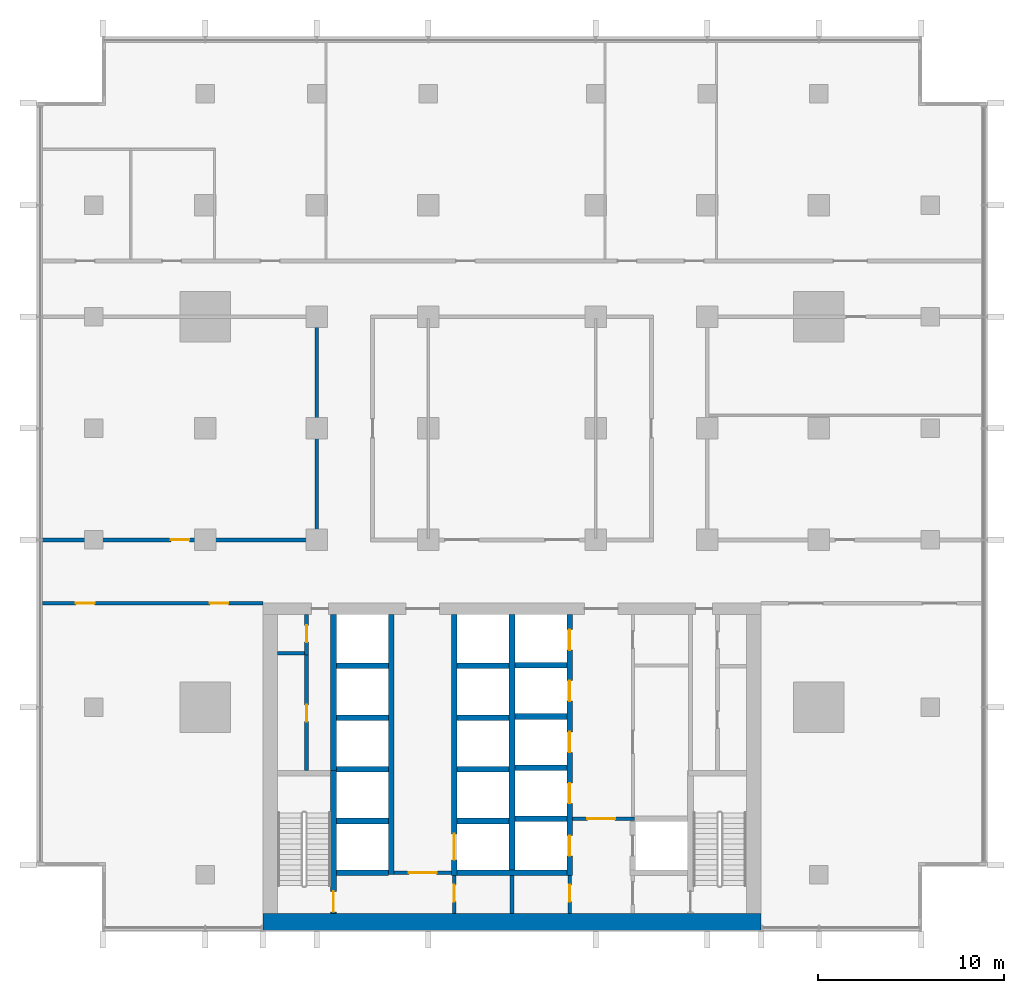
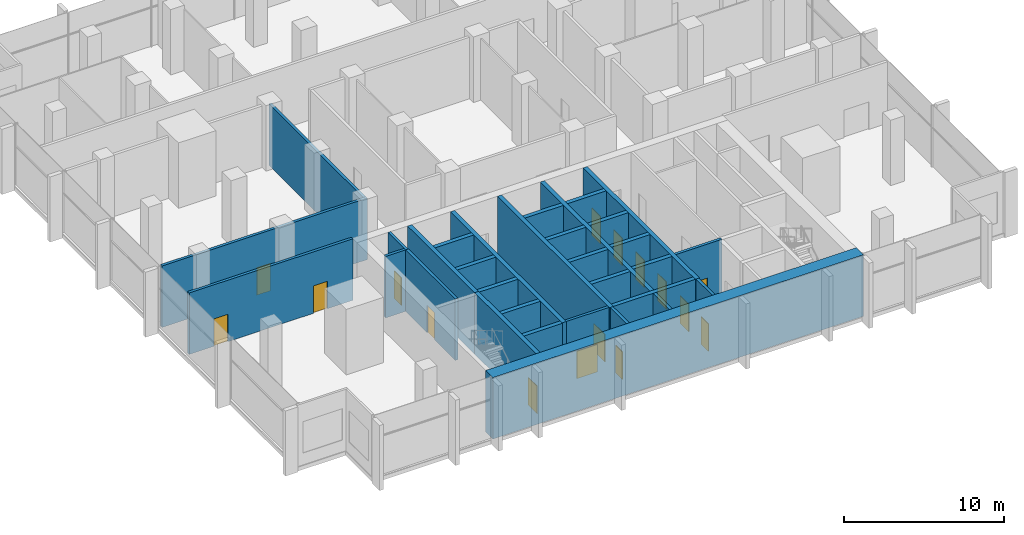
# One storey, part 7 of 14: 32 walls, 16 doors, 16 openings.
"""IFC4 building model written with IfcOpenShell, lengths in metres."""

from ifc_helpers import new_model, si_unit, direction, frame, frame_2d, origin, place, context, subcontext, project, spatial, rectangle, extrude, material, layer, layer_set, type_object, element, fill, save


model = new_model("IFC4")

# Units and contexts
model_context = context("Model", 3, precision=1e-05, world=origin(), true_north=direction((0.0, 1.0)))
body_context = subcontext(model_context, "Body", "Model", "MODEL_VIEW")
ifc_project = project(units=[si_unit("LENGTHUNIT", "METRE"), si_unit("AREAUNIT", "SQUARE_METRE"), si_unit("VOLUMEUNIT", "CUBIC_METRE"), si_unit("PLANEANGLEUNIT", "RADIAN"), si_unit("MASSUNIT", "GRAM", prefix="KILO")], contexts=[model_context])

# Site, building, storey
site_placement = place(None, origin())
site = spatial("IfcSite", under=ifc_project, at=site_placement, CompositionType="ELEMENT")
building_placement = place(site_placement, origin())
building = spatial("IfcBuilding", under=site, at=building_placement, Name="Finial Court Residences", CompositionType="ELEMENT")
storey_placement = place(building_placement, frame((0.0, 0.0, 133.89990234375)))
storey = spatial("IfcBuildingStorey", under=building, at=storey_placement, Name="L33", CompositionType="ELEMENT", Elevation=133.89990234375)

# Wall
ifc_material_1 = material(Name="Concrete C70/85", Category="concrete")
ifc_layer_1 = layer(ifc_material_1, 0.89990234375)
ifc_layer_set_1 = layer_set([ifc_layer_1], Name="Core south facade wall 900 Concrete C70/85")
wall_type_1 = type_object("IfcWallType", Name="Core south facade wall 900 Concrete C70/85", PredefinedType="SHEAR", material=ifc_layer_set_1)
wall_1_placement = place(storey_placement, frame((-13.39990234375, -25.050048828125, 0.0), z_axis=(0.0, 0.0, 1.0), x_axis=(1.0, 0.0, 0.0)))
element("IfcWall", 1, at=wall_1_placement, inside=storey, type_object=wall_type_1, Name="Core outer wall L33-01", PredefinedType="SHEAR", context=body_context, shape_type="SweptSolid", body=[
    extrude(rectangle(XDim=26.7998046875, YDim=0.89990234375, at=frame_2d((13.39990234375, 0.0))), origin(), (0.0, 0.0, 1.0), 4.7001953125),
])

# Wall, openings, doors
ifc_material_2 = material(Name="Gypsum board")
ifc_layer_2 = layer(ifc_material_2, 0.02490234375)
ifc_material_3 = material(Name="Acoustic mineral wool in double frame")
ifc_layer_3 = layer(ifc_material_3, 0.14990234375)
ifc_layer_4 = layer(ifc_material_2, 0.02490234375)
ifc_layer_set_2 = layer_set([ifc_layer_2, ifc_layer_3, ifc_layer_4], Name="Corridor wall 200, 1 hour")
wall_type_2 = type_object("IfcWallType", Name="Corridor wall 200, 1 hour", PredefinedType="PARTITIONING", material=ifc_layer_set_2)
wall_2_placement = place(storey_placement, frame((-25.237548828125, -7.89990234375, 0.0), z_axis=(0.0, 0.0, 1.0), x_axis=(1.0, 0.0, 0.0)))
wall_2 = element("IfcWall", 2, at=wall_2_placement, inside=storey, type_object=wall_type_2, Name="Partition L33-000", PredefinedType="PARTITIONING", context=body_context, shape_type="SweptSolid", body=[
    extrude(rectangle(XDim=11.837646484375, YDim=0.199951171875, at=frame_2d((5.9189453125, 0.0))), origin(), (0.0, 0.0, 1.0), 4.7001953125),
])
opening_1_placement = place(wall_2_placement, frame((1.7880859375, 0.0, 0.0)))
opening_1 = element("IfcOpeningElement", 3, at=opening_1_placement, cuts=wall_2, Name="Opening L33-D001", PredefinedType="OPENING", context=body_context, shape_type="SweptSolid", body=[
    extrude(rectangle(XDim=1.0, YDim=2.10009765625, at=frame_2d((0.5, 1.050048828125))), frame((0.0, 0.10986328125, 0.0), z_axis=(0.0, -1.0, 0.0), x_axis=(1.0, 0.0, 0.0)), (0.0, 0.0, 1.0), 0.219970703125),
])
opening_2_placement = place(wall_2_placement, frame((8.988037109375, 0.0, 0.0)))
opening_2 = element("IfcOpeningElement", 4, at=opening_2_placement, cuts=wall_2, Name="Opening L33-D002", PredefinedType="OPENING", context=body_context, shape_type="SweptSolid", body=[
    extrude(rectangle(XDim=1.0, YDim=2.10009765625, at=frame_2d((0.5, 1.050048828125))), frame((0.0, 0.10986328125, 0.0), z_axis=(0.0, -1.0, 0.0), x_axis=(1.0, 0.0, 0.0)), (0.0, 0.0, 1.0), 0.219970703125),
])
ifc_material_4 = material(Name="Timber door leaf in hollow metal frame", Category="wood")
door_type_1 = type_object("IfcDoorType", Name="Fire door set 1000 x 2100, 30 minutes", OperationType="SINGLE_SWING_LEFT", PredefinedType="DOOR", material=ifc_material_4)
door_1_placement = place(opening_1_placement, origin())
door_1 = element("IfcDoor", 5, at=door_1_placement, inside=storey, type_object=door_type_1, Name="Door L33-D001", OperationType="SINGLE_SWING_LEFT", OverallHeight=2.10009765625, OverallWidth=1.0, PredefinedType="DOOR", context=body_context, shape_type="SweptSolid", body=[
    extrude(rectangle(XDim=1.0, YDim=2.10009765625, at=frame_2d((0.5, 1.050048828125))), frame((0.0, 0.02490234375, 0.0), z_axis=(0.0, -1.0, 0.0), x_axis=(1.0, 0.0, 0.0)), (0.0, 0.0, 1.0), 0.050048828125),
])
fill(opening_1, door_1)
door_2_placement = place(opening_2_placement, origin())
door_2 = element("IfcDoor", 6, at=door_2_placement, inside=storey, type_object=door_type_1, Name="Door L33-D002", OperationType="SINGLE_SWING_RIGHT", OverallHeight=2.10009765625, OverallWidth=1.0, PredefinedType="DOOR", context=body_context, shape_type="SweptSolid", body=[
    extrude(rectangle(XDim=1.0, YDim=2.10009765625, at=frame_2d((0.5, 1.050048828125))), frame((0.0, 0.02490234375, 0.0), z_axis=(0.0, -1.0, 0.0), x_axis=(1.0, 0.0, 0.0)), (0.0, 0.0, 1.0), 0.050048828125),
])
fill(opening_2, door_2)

# Wall, opening, door
wall_3_placement = place(storey_placement, frame((-25.237548828125, -4.5, 0.0), z_axis=(0.0, 0.0, 1.0), x_axis=(1.0, 0.0, 0.0)))
wall_3 = element("IfcWall", 7, at=wall_3_placement, inside=storey, type_object=wall_type_2, Name="Partition L33-002", PredefinedType="PARTITIONING", context=body_context, shape_type="SweptSolid", body=[
    extrude(rectangle(XDim=14.837646484375, YDim=0.199951171875, at=frame_2d((7.4189453125, 0.0))), origin(), (0.0, 0.0, 1.0), 4.7001953125),
])
opening_3_placement = place(wall_3_placement, frame((6.886962890625, 0.0, 0.0)))
opening_3 = element("IfcOpeningElement", 8, at=opening_3_placement, cuts=wall_3, Name="Opening L33-D005", PredefinedType="OPENING", context=body_context, shape_type="SweptSolid", body=[
    extrude(rectangle(XDim=1.0, YDim=2.10009765625, at=frame_2d((0.5, 1.050048828125))), frame((0.0, 0.10986328125, 0.0), z_axis=(0.0, -1.0, 0.0), x_axis=(1.0, 0.0, 0.0)), (0.0, 0.0, 1.0), 0.219970703125),
])
door_3_placement = place(opening_3_placement, origin())
door_3 = element("IfcDoor", 9, at=door_3_placement, inside=storey, type_object=door_type_1, Name="Door L33-D005", OperationType="SINGLE_SWING_RIGHT", OverallHeight=2.10009765625, OverallWidth=1.0, PredefinedType="DOOR", context=body_context, shape_type="SweptSolid", body=[
    extrude(rectangle(XDim=1.0, YDim=2.10009765625, at=frame_2d((0.5, 1.050048828125))), frame((0.0, 0.02490234375, 0.0), z_axis=(0.0, -1.0, 0.0), x_axis=(1.0, 0.0, 0.0)), (0.0, 0.0, 1.0), 0.050048828125),
])
fill(opening_3, door_3)

# Wall
wall_4_placement = place(storey_placement, frame((-10.5, -4.39990234375, 0.0), z_axis=(0.0, 0.0, 1.0), x_axis=(0.0, 1.0, 0.0)))
element("IfcWall", 10, at=wall_4_placement, inside=storey, type_object=wall_type_2, Name="Partition L33-013", PredefinedType="PARTITIONING", context=body_context, shape_type="SweptSolid", body=[
    extrude(rectangle(XDim=11.7998046875, YDim=0.199951171875, at=frame_2d((5.89990234375, 0.0))), origin(), (0.0, 0.0, 1.0), 4.7001953125),
])

# Wall, opening, door
ifc_material_5 = material(Name="Fire-rated gypsum board partition")
ifc_layer_5 = layer(ifc_material_5, 0.199951171875)
ifc_layer_set_3 = layer_set([ifc_layer_5], Name="Firefighting lobby wall 200 EI 120")
wall_type_3 = type_object("IfcWallType", Name="Firefighting lobby wall 200 EI 120", PredefinedType="PARTITIONING", material=ifc_layer_set_3)
wall_5_placement = place(storey_placement, frame((6.574951171875, -19.5, 0.0), z_axis=(0.0, 0.0, 1.0), x_axis=(-1.0, 0.0, 0.0)))
wall_5 = element("IfcWall", 11, at=wall_5_placement, inside=storey, type_object=wall_type_3, Name="Core partition L33-08", PredefinedType="PARTITIONING", context=body_context, shape_type="SweptSolid", body=[
    extrude(rectangle(XDim=3.324951171875, YDim=0.199951171875, at=frame_2d((1.66259765625, 0.0))), origin(), (0.0, 0.0, 1.0), 4.7001953125),
])
opening_4_placement = place(wall_5_placement, frame((1.02490234375, 0.0, 0.0)))
opening_4 = element("IfcOpeningElement", 12, at=opening_4_placement, cuts=wall_5, Name="Opening L33-C02", PredefinedType="OPENING", context=body_context, shape_type="SweptSolid", body=[
    extrude(rectangle(XDim=1.5, YDim=2.10009765625, at=frame_2d((0.75, 1.050048828125))), frame((0.0, 0.10986328125, 0.0), z_axis=(0.0, -1.0, 0.0), x_axis=(1.0, 0.0, 0.0)), (0.0, 0.0, 1.0), 0.219970703125),
])
ifc_material_6 = material(Name="Steel fire door", Category="steel")
door_type_2 = type_object("IfcDoorType", Name="Firefighting lobby door 1500 x 2100 EI 90", OperationType="DOUBLE_DOOR_SINGLE_SWING", PredefinedType="DOOR", material=ifc_material_6)
door_4_placement = place(opening_4_placement, origin())
door_4 = element("IfcDoor", 13, at=door_4_placement, inside=storey, type_object=door_type_2, Name="Firefighting lobby door L33-C02", OperationType="DOUBLE_DOOR_SINGLE_SWING", OverallHeight=2.10009765625, OverallWidth=1.5, PredefinedType="DOOR", context=body_context, shape_type="SweptSolid", body=[
    extrude(rectangle(XDim=1.5, YDim=2.10009765625, at=frame_2d((0.75, 1.050048828125))), frame((0.0, 0.02490234375, 0.0), z_axis=(0.0, -1.0, 0.0), x_axis=(1.0, 0.0, 0.0)), (0.0, 0.0, 1.0), 0.050048828125),
])
fill(opening_4, door_4)

wall_6_placement = place(storey_placement, frame((3.10009765625, -24.60009765625, 0.0), z_axis=(0.0, 0.0, 1.0), x_axis=(0.0, 1.0, 0.0)))
wall_6 = element("IfcWall", 14, at=wall_6_placement, inside=storey, type_object=wall_type_3, Name="Core partition L33-33", PredefinedType="PARTITIONING", context=body_context, shape_type="SweptSolid", body=[
    extrude(rectangle(XDim=2.050048828125, YDim=0.199951171875, at=frame_2d((1.02490234375, 0.0))), origin(), (0.0, 0.0, 1.0), 4.7001953125),
])
opening_5_placement = place(wall_6_placement, frame((0.64990234375, 0.0, 0.0)))
opening_5 = element("IfcOpeningElement", 15, at=opening_5_placement, cuts=wall_6, Name="Opening L33-C06", PredefinedType="OPENING", context=body_context, shape_type="SweptSolid", body=[
    extrude(rectangle(XDim=0.89990234375, YDim=2.10009765625, at=frame_2d((0.449951171875, 1.050048828125))), frame((0.0, 0.10986328125, 0.0), z_axis=(0.0, -1.0, 0.0), x_axis=(1.0, 0.0, 0.0)), (0.0, 0.0, 1.0), 0.219970703125),
])
door_type_3 = type_object("IfcDoorType", Name="Riser room door 900 x 2100 EI 90", OperationType="NOTDEFINED", PredefinedType="DOOR", material=ifc_material_6)
door_5_placement = place(opening_5_placement, origin())
door_5 = element("IfcDoor", 16, at=door_5_placement, inside=storey, type_object=door_type_3, Name="Riser room door L33-C06", OperationType="SINGLE_SWING_LEFT", OverallHeight=2.10009765625, OverallWidth=0.89990234375, PredefinedType="DOOR", context=body_context, shape_type="SweptSolid", body=[
    extrude(rectangle(XDim=0.89990234375, YDim=2.10009765625, at=frame_2d((0.449951171875, 1.050048828125))), frame((0.0, 0.02490234375, 0.0), z_axis=(0.0, -1.0, 0.0), x_axis=(1.0, 0.0, 0.0)), (0.0, 0.0, 1.0), 0.050048828125),
])
fill(opening_5, door_5)

# Walls
ifc_layer_6 = layer(ifc_material_1, 0.300048828125)
ifc_layer_set_4 = layer_set([ifc_layer_6], Name="Lift shaft and stair wall 300 Concrete C70/85")
wall_type_4 = type_object("IfcWallType", Name="Lift shaft and stair wall 300 Concrete C70/85", PredefinedType="SHEAR", material=ifc_layer_set_4)
wall_7_placement = place(storey_placement, frame((-9.449951171875, -22.39990234375, 0.0), z_axis=(0.0, 0.0, 1.0), x_axis=(1.0, 0.0, 0.0)))
element("IfcWall", 17, at=wall_7_placement, inside=storey, type_object=wall_type_4, Name="Core wall L33-01", PredefinedType="SHEAR", context=body_context, shape_type="SweptSolid", body=[
    extrude(rectangle(XDim=2.800048828125, YDim=0.300048828125, at=frame_2d((1.39990234375, 0.0))), origin(), (0.0, 0.0, 1.0), 4.7001953125),
])
wall_8_placement = place(storey_placement, frame((-2.949951171875, -22.39990234375, 0.0), z_axis=(0.0, 0.0, 1.0), x_axis=(1.0, 0.0, 0.0)))
element("IfcWall", 18, at=wall_8_placement, inside=storey, type_object=wall_type_4, Name="Core wall L33-03", PredefinedType="SHEAR", context=body_context, shape_type="SweptSolid", body=[
    extrude(rectangle(XDim=5.89990234375, YDim=0.300048828125, at=frame_2d((2.949951171875, 0.0))), origin(), (0.0, 0.0, 1.0), 4.7001953125),
])
for number, where, z_axis, x_axis, name in (
    (19, (-9.449951171875, -19.6201171875, 0.0), (0.0, 0.0, 1.0), (1.0, 0.0, 0.0), "Core wall L33-05"),
    (20, (-2.949951171875, -19.6201171875, 0.0), (0.0, 0.0, 1.0), (1.0, 0.0, 0.0), "Core wall L33-06"),
    (21, (0.14990234375, -19.5, 0.0), (0.0, 0.0, 1.0), (1.0, 0.0, 0.0), "Core wall L33-07"),
    (22, (-9.449951171875, -16.840087890625, 0.0), (0.0, 0.0, 1.0), (1.0, 0.0, 0.0), "Core wall L33-12"),
    (23, (-2.949951171875, -16.840087890625, 0.0), (0.0, 0.0, 1.0), (1.0, 0.0, 0.0), "Core wall L33-13"),
    (24, (0.14990234375, -16.75, 0.0), (0.0, 0.0, 1.0), (1.0, 0.0, 0.0), "Core wall L33-14"),
    (25, (-9.449951171875, -14.06005859375, 0.0), (0.0, 0.0, 1.0), (1.0, 0.0, 0.0), "Core wall L33-15"),
    (26, (-2.949951171875, -14.06005859375, 0.0), (0.0, 0.0, 1.0), (1.0, 0.0, 0.0), "Core wall L33-16"),
    (27, (0.14990234375, -14.0, 0.0), (0.0, 0.0, 1.0), (1.0, 0.0, 0.0), "Core wall L33-17"),
    (28, (-9.449951171875, -11.280029296875, 0.0), (0.0, 0.0, 1.0), (1.0, 0.0, 0.0), "Core wall L33-19"),
    (29, (-2.949951171875, -11.280029296875, 0.0), (0.0, 0.0, 1.0), (1.0, 0.0, 0.0), "Core wall L33-20"),
    (30, (0.14990234375, -11.25, 0.0), (0.0, 0.0, 1.0), (1.0, 0.0, 0.0), "Core wall L33-21"),
):
    element("IfcWall", number, at=place(storey_placement, frame(where, z_axis=z_axis, x_axis=x_axis)), inside=storey, type_object=wall_type_4, Name=name, PredefinedType="SHEAR", context=body_context, shape_type="SweptSolid", body=[
        extrude(rectangle(XDim=2.800048828125, YDim=0.300048828125, at=frame_2d((1.39990234375, 0.0))), origin(), (0.0, 0.0, 1.0), 4.7001953125),
    ])

# Wall, opening, door
wall_9_placement = place(storey_placement, frame((-9.60009765625, -24.60009765625, 0.0), z_axis=(0.0, 0.0, 1.0), x_axis=(0.0, 1.0, 0.0)))
wall_9 = element("IfcWall", 31, at=wall_9_placement, inside=storey, type_object=wall_type_4, Name="Core wall L33-26", PredefinedType="SHEAR", context=body_context, shape_type="SweptSolid", body=[
    extrude(rectangle(XDim=7.7001953125, YDim=0.300048828125, at=frame_2d((3.85009765625, 0.0))), origin(), (0.0, 0.0, 1.0), 4.7001953125),
])
opening_6_placement = place(wall_9_placement, frame((0.10009765625, 0.0, 0.0)))
opening_6 = element("IfcOpeningElement", 32, at=opening_6_placement, cuts=wall_9, Name="Opening L33-C16", PredefinedType="OPENING", context=body_context, shape_type="SweptSolid", body=[
    extrude(rectangle(XDim=1.10009765625, YDim=2.10009765625, at=frame_2d((0.550048828125, 1.050048828125))), frame((0.0, 0.159912109375, 0.0), z_axis=(0.0, -1.0, 0.0), x_axis=(1.0, 0.0, 0.0)), (0.0, 0.0, 1.0), 0.320068359375),
])
door_type_4 = type_object("IfcDoorType", Name="Stair door 1100 x 2100 EI 90", OperationType="NOTDEFINED", PredefinedType="DOOR", material=ifc_material_6)
door_6_placement = place(opening_6_placement, origin())
door_6 = element("IfcDoor", 33, at=door_6_placement, inside=storey, type_object=door_type_4, Name="Stair door L33-C16", OperationType="SINGLE_SWING_LEFT", OverallHeight=2.10009765625, OverallWidth=1.10009765625, PredefinedType="DOOR", context=body_context, shape_type="SweptSolid", body=[
    extrude(rectangle(XDim=1.10009765625, YDim=2.10009765625, at=frame_2d((0.550048828125, 1.050048828125))), frame((0.0, 0.02490234375, 0.0), z_axis=(0.0, -1.0, 0.0), x_axis=(1.0, 0.0, 0.0)), (0.0, 0.0, 1.0), 0.050048828125),
])
fill(opening_6, door_6)

# Walls
wall_10_placement = place(storey_placement, frame((-9.60009765625, -17.199951171875, 0.0), z_axis=(0.0, 0.0, 1.0), x_axis=(0.0, 1.0, 0.0)))
element("IfcWall", 34, at=wall_10_placement, inside=storey, type_object=wall_type_4, Name="Core wall L33-27", PredefinedType="SHEAR", context=body_context, shape_type="SweptSolid", body=[
    extrude(rectangle(XDim=8.699951171875, YDim=0.300048828125, at=frame_2d((4.35009765625, 0.0))), origin(), (0.0, 0.0, 1.0), 4.7001953125),
])
wall_11_placement = place(storey_placement, frame((-6.5, -22.5, 0.0), z_axis=(0.0, 0.0, 1.0), x_axis=(0.0, 1.0, 0.0)))
element("IfcWall", 35, at=wall_11_placement, inside=storey, type_object=wall_type_4, Name="Core wall L33-28", PredefinedType="SHEAR", context=body_context, shape_type="SweptSolid", body=[
    extrude(rectangle(XDim=14.0, YDim=0.300048828125, at=frame_2d((7.0, 0.0))), origin(), (0.0, 0.0, 1.0), 4.7001953125),
])

# Wall, opening, door
wall_12_placement = place(storey_placement, frame((-3.10009765625, -22.550048828125, 0.0), z_axis=(0.0, 0.0, 1.0), x_axis=(0.0, 1.0, 0.0)))
wall_12 = element("IfcWall", 36, at=wall_12_placement, inside=storey, type_object=wall_type_4, Name="Core wall L33-30", PredefinedType="SHEAR", context=body_context, shape_type="SweptSolid", body=[
    extrude(rectangle(XDim=14.050048828125, YDim=0.300048828125, at=frame_2d((7.02490234375, 0.0))), origin(), (0.0, 0.0, 1.0), 4.7001953125),
])
opening_7_placement = place(wall_12_placement, frame((0.840087890625, 0.0, 0.0)))
opening_7 = element("IfcOpeningElement", 37, at=opening_7_placement, cuts=wall_12, Name="Opening L33-LD07", PredefinedType="OPENING", context=body_context, shape_type="SweptSolid", body=[
    extrude(rectangle(XDim=1.39990234375, YDim=2.10009765625, at=frame_2d((0.699951171875, 1.050048828125))), frame((0.0, 0.159912109375, 0.0), z_axis=(0.0, -1.0, 0.0), x_axis=(1.0, 0.0, 0.0)), (0.0, 0.0, 1.0), 0.320068359375),
])
ifc_material_7 = material(Name="Stainless steel lift door", Category="steel")
door_type_5 = type_object("IfcDoorType", Name="Lift landing door 1400 x 2100 EI 90", OperationType="DOUBLE_DOOR_SLIDING", PredefinedType="DOOR", material=ifc_material_7)
door_7_placement = place(opening_7_placement, origin())
door_7 = element("IfcDoor", 38, at=door_7_placement, inside=storey, type_object=door_type_5, Name="Lift landing door SV1 L33", OperationType="DOUBLE_DOOR_SLIDING", OverallHeight=2.10009765625, OverallWidth=1.39990234375, PredefinedType="DOOR", context=body_context, shape_type="SweptSolid", body=[
    extrude(rectangle(XDim=1.39990234375, YDim=2.10009765625, at=frame_2d((0.699951171875, 1.050048828125))), frame((0.0, 0.02490234375, 0.0), z_axis=(0.0, -1.0, 0.0), x_axis=(1.0, 0.0, 0.0)), (0.0, 0.0, 1.0), 0.050048828125),
])
fill(opening_7, door_7)

# Wall
wall_13_placement = place(storey_placement, frame((0.0, -22.25, 0.0), z_axis=(0.0, 0.0, 1.0), x_axis=(0.0, 1.0, 0.0)))
element("IfcWall", 39, at=wall_13_placement, inside=storey, type_object=wall_type_4, Name="Core wall L33-32", PredefinedType="SHEAR", context=body_context, shape_type="SweptSolid", body=[
    extrude(rectangle(XDim=13.75, YDim=0.300048828125, at=frame_2d((6.875, 0.0))), origin(), (0.0, 0.0, 1.0), 4.7001953125),
])

# Wall, openings, doors
wall_14_placement = place(storey_placement, frame((3.10009765625, -22.550048828125, 0.0), z_axis=(0.0, 0.0, 1.0), x_axis=(0.0, 1.0, 0.0)))
wall_14 = element("IfcWall", 40, at=wall_14_placement, inside=storey, type_object=wall_type_4, Name="Core wall L33-34", PredefinedType="SHEAR", context=body_context, shape_type="SweptSolid", body=[
    extrude(rectangle(XDim=14.050048828125, YDim=0.300048828125, at=frame_2d((7.02490234375, 0.0))), origin(), (0.0, 0.0, 1.0), 4.7001953125),
])
opening_8_placement = place(wall_14_placement, frame((1.050048828125, 0.0, 0.0)))
opening_8 = element("IfcOpeningElement", 41, at=opening_8_placement, cuts=wall_14, Name="Opening L33-LD01", PredefinedType="OPENING", context=body_context, shape_type="SweptSolid", body=[
    extrude(rectangle(XDim=1.10009765625, YDim=2.10009765625, at=frame_2d((0.550048828125, 1.050048828125))), frame((0.0, 0.159912109375, 0.0), z_axis=(0.0, -1.0, 0.0), x_axis=(1.0, 0.0, 0.0)), (0.0, 0.0, 1.0), 0.320068359375),
])
opening_9_placement = place(wall_14_placement, frame((3.875, 0.0, 0.0)))
opening_9 = element("IfcOpeningElement", 42, at=opening_9_placement, cuts=wall_14, Name="Opening L33-LD03", PredefinedType="OPENING", context=body_context, shape_type="SweptSolid", body=[
    extrude(rectangle(XDim=1.10009765625, YDim=2.10009765625, at=frame_2d((0.550048828125, 1.050048828125))), frame((0.0, 0.159912109375, 0.0), z_axis=(0.0, -1.0, 0.0), x_axis=(1.0, 0.0, 0.0)), (0.0, 0.0, 1.0), 0.320068359375),
])
opening_10_placement = place(wall_14_placement, frame((6.625, 0.0, 0.0)))
opening_10 = element("IfcOpeningElement", 43, at=opening_10_placement, cuts=wall_14, Name="Opening L33-LD04", PredefinedType="OPENING", context=body_context, shape_type="SweptSolid", body=[
    extrude(rectangle(XDim=1.10009765625, YDim=2.10009765625, at=frame_2d((0.550048828125, 1.050048828125))), frame((0.0, 0.159912109375, 0.0), z_axis=(0.0, -1.0, 0.0), x_axis=(1.0, 0.0, 0.0)), (0.0, 0.0, 1.0), 0.320068359375),
])
opening_11_placement = place(wall_14_placement, frame((9.375, 0.0, 0.0)))
opening_11 = element("IfcOpeningElement", 44, at=opening_11_placement, cuts=wall_14, Name="Opening L33-LD05", PredefinedType="OPENING", context=body_context, shape_type="SweptSolid", body=[
    extrude(rectangle(XDim=1.10009765625, YDim=2.10009765625, at=frame_2d((0.550048828125, 1.050048828125))), frame((0.0, 0.159912109375, 0.0), z_axis=(0.0, -1.0, 0.0), x_axis=(1.0, 0.0, 0.0)), (0.0, 0.0, 1.0), 0.320068359375),
])
opening_12_placement = place(wall_14_placement, frame((12.125, 0.0, 0.0)))
opening_12 = element("IfcOpeningElement", 45, at=opening_12_placement, cuts=wall_14, Name="Opening L33-LD06", PredefinedType="OPENING", context=body_context, shape_type="SweptSolid", body=[
    extrude(rectangle(XDim=1.10009765625, YDim=2.10009765625, at=frame_2d((0.550048828125, 1.050048828125))), frame((0.0, 0.159912109375, 0.0), z_axis=(0.0, -1.0, 0.0), x_axis=(1.0, 0.0, 0.0)), (0.0, 0.0, 1.0), 0.320068359375),
])
door_type_6 = type_object("IfcDoorType", Name="Lift landing door 1100 x 2100 EI 90", OperationType="DOUBLE_DOOR_SLIDING", PredefinedType="DOOR", material=ifc_material_7)
door_8_placement = place(opening_8_placement, origin())
door_8 = element("IfcDoor", 46, at=door_8_placement, inside=storey, type_object=door_type_6, Name="Lift landing door FF1 L33", OperationType="DOUBLE_DOOR_SLIDING", OverallHeight=2.10009765625, OverallWidth=1.10009765625, PredefinedType="DOOR", context=body_context, shape_type="SweptSolid", body=[
    extrude(rectangle(XDim=1.10009765625, YDim=2.10009765625, at=frame_2d((0.550048828125, 1.050048828125))), frame((0.0, 0.02490234375, 0.0), z_axis=(0.0, -1.0, 0.0), x_axis=(1.0, 0.0, 0.0)), (0.0, 0.0, 1.0), 0.050048828125),
])
fill(opening_8, door_8)
door_9_placement = place(opening_9_placement, origin())
door_9 = element("IfcDoor", 47, at=door_9_placement, inside=storey, type_object=door_type_6, Name="Lift landing door HR1 L33", OperationType="DOUBLE_DOOR_SLIDING", OverallHeight=2.10009765625, OverallWidth=1.10009765625, PredefinedType="DOOR", context=body_context, shape_type="SweptSolid", body=[
    extrude(rectangle(XDim=1.10009765625, YDim=2.10009765625, at=frame_2d((0.550048828125, 1.050048828125))), frame((0.0, 0.02490234375, 0.0), z_axis=(0.0, -1.0, 0.0), x_axis=(1.0, 0.0, 0.0)), (0.0, 0.0, 1.0), 0.050048828125),
])
fill(opening_9, door_9)
door_10_placement = place(opening_10_placement, origin())
door_10 = element("IfcDoor", 48, at=door_10_placement, inside=storey, type_object=door_type_6, Name="Lift landing door HR2 L33", OperationType="DOUBLE_DOOR_SLIDING", OverallHeight=2.10009765625, OverallWidth=1.10009765625, PredefinedType="DOOR", context=body_context, shape_type="SweptSolid", body=[
    extrude(rectangle(XDim=1.10009765625, YDim=2.10009765625, at=frame_2d((0.550048828125, 1.050048828125))), frame((0.0, 0.02490234375, 0.0), z_axis=(0.0, -1.0, 0.0), x_axis=(1.0, 0.0, 0.0)), (0.0, 0.0, 1.0), 0.050048828125),
])
fill(opening_10, door_10)
door_11_placement = place(opening_11_placement, origin())
door_11 = element("IfcDoor", 49, at=door_11_placement, inside=storey, type_object=door_type_6, Name="Lift landing door HR3 L33", OperationType="DOUBLE_DOOR_SLIDING", OverallHeight=2.10009765625, OverallWidth=1.10009765625, PredefinedType="DOOR", context=body_context, shape_type="SweptSolid", body=[
    extrude(rectangle(XDim=1.10009765625, YDim=2.10009765625, at=frame_2d((0.550048828125, 1.050048828125))), frame((0.0, 0.02490234375, 0.0), z_axis=(0.0, -1.0, 0.0), x_axis=(1.0, 0.0, 0.0)), (0.0, 0.0, 1.0), 0.050048828125),
])
fill(opening_11, door_11)
door_12_placement = place(opening_12_placement, origin())
door_12 = element("IfcDoor", 50, at=door_12_placement, inside=storey, type_object=door_type_6, Name="Lift landing door HR4 L33", OperationType="DOUBLE_DOOR_SLIDING", OverallHeight=2.10009765625, OverallWidth=1.10009765625, PredefinedType="DOOR", context=body_context, shape_type="SweptSolid", body=[
    extrude(rectangle(XDim=1.10009765625, YDim=2.10009765625, at=frame_2d((0.550048828125, 1.050048828125))), frame((0.0, 0.02490234375, 0.0), z_axis=(0.0, -1.0, 0.0), x_axis=(1.0, 0.0, 0.0)), (0.0, 0.0, 1.0), 0.050048828125),
])
fill(opening_12, door_12)

# Wall
ifc_layer_7 = layer(ifc_material_5, 0.199951171875)
ifc_layer_set_5 = layer_set([ifc_layer_7], Name="Riser room wall 200 EI 120")
wall_type_5 = type_object("IfcWallType", Name="Riser room wall 200 EI 120", PredefinedType="PARTITIONING", material=ifc_layer_set_5)
wall_15_placement = place(storey_placement, frame((-12.60009765625, -10.60009765625, 0.0), z_axis=(0.0, 0.0, 1.0), x_axis=(1.0, 0.0, 0.0)))
element("IfcWall", 51, at=wall_15_placement, inside=storey, type_object=wall_type_5, Name="Core partition L33-23", PredefinedType="PARTITIONING", context=body_context, shape_type="SweptSolid", body=[
    extrude(rectangle(XDim=1.4501953125, YDim=0.199951171875, at=frame_2d((0.72509765625, 0.0))), origin(), (0.0, 0.0, 1.0), 4.7001953125),
])

# Wall, opening, door
wall_16_placement = place(storey_placement, frame((-11.050048828125, -10.699951171875, 0.0), z_axis=(0.0, 0.0, 1.0), x_axis=(0.0, 1.0, 0.0)))
wall_16 = element("IfcWall", 52, at=wall_16_placement, inside=storey, type_object=wall_type_5, Name="Core partition L33-25", PredefinedType="PARTITIONING", context=body_context, shape_type="SweptSolid", body=[
    extrude(rectangle(XDim=2.199951171875, YDim=0.199951171875, at=frame_2d((1.10009765625, 0.0))), origin(), (0.0, 0.0, 1.0), 4.7001953125),
])
opening_13_placement = place(wall_16_placement, frame((0.699951171875, 0.0, 0.0)))
opening_13 = element("IfcOpeningElement", 53, at=opening_13_placement, cuts=wall_16, Name="Opening L33-C07", PredefinedType="OPENING", context=body_context, shape_type="SweptSolid", body=[
    extrude(rectangle(XDim=0.89990234375, YDim=2.10009765625, at=frame_2d((0.449951171875, 1.050048828125))), frame((0.0, 0.10986328125, 0.0), z_axis=(0.0, -1.0, 0.0), x_axis=(1.0, 0.0, 0.0)), (0.0, 0.0, 1.0), 0.219970703125),
])
door_13_placement = place(opening_13_placement, origin())
door_13 = element("IfcDoor", 54, at=door_13_placement, inside=storey, type_object=door_type_3, Name="Riser room door L33-C07", OperationType="SINGLE_SWING_LEFT", OverallHeight=2.10009765625, OverallWidth=0.89990234375, PredefinedType="DOOR", context=body_context, shape_type="SweptSolid", body=[
    extrude(rectangle(XDim=0.89990234375, YDim=2.10009765625, at=frame_2d((0.449951171875, 1.050048828125))), frame((0.0, 0.02490234375, 0.0), z_axis=(0.0, -1.0, 0.0), x_axis=(1.0, 0.0, 0.0)), (0.0, 0.0, 1.0), 0.050048828125),
])
fill(opening_13, door_13)

# Wall
wall_17_placement = place(storey_placement, frame((0.0, -24.60009765625, 0.0), z_axis=(0.0, 0.0, 1.0), x_axis=(0.0, 1.0, 0.0)))
element("IfcWall", 55, at=wall_17_placement, inside=storey, type_object=wall_type_5, Name="Core partition L33-31", PredefinedType="PARTITIONING", context=body_context, shape_type="SweptSolid", body=[
    extrude(rectangle(XDim=2.050048828125, YDim=0.199951171875, at=frame_2d((1.02490234375, 0.0))), origin(), (0.0, 0.0, 1.0), 4.7001953125),
])

# Wall, opening, door
ifc_layer_8 = layer(ifc_material_5, 0.199951171875)
ifc_layer_set_6 = layer_set([ifc_layer_8], Name="Stair passage wall 200 EI 180")
wall_type_6 = type_object("IfcWallType", Name="Stair passage wall 200 EI 180", PredefinedType="PARTITIONING", material=ifc_layer_set_6)
wall_18_placement = place(storey_placement, frame((-3.25, -22.39990234375, 0.0), z_axis=(0.0, 0.0, 1.0), x_axis=(-1.0, 0.0, 0.0)))
wall_18 = element("IfcWall", 56, at=wall_18_placement, inside=storey, type_object=wall_type_6, Name="Core partition L33-02", PredefinedType="PARTITIONING", context=body_context, shape_type="SweptSolid", body=[
    extrude(rectangle(XDim=3.10009765625, YDim=0.199951171875, at=frame_2d((1.550048828125, 0.0))), origin(), (0.0, 0.0, 1.0), 4.7001953125),
])
opening_14_placement = place(wall_18_placement, frame((0.800048828125, 0.0, 0.0)))
opening_14 = element("IfcOpeningElement", 57, at=opening_14_placement, cuts=wall_18, Name="Opening L33-C03", PredefinedType="OPENING", context=body_context, shape_type="SweptSolid", body=[
    extrude(rectangle(XDim=1.5, YDim=2.10009765625, at=frame_2d((0.75, 1.050048828125))), frame((0.0, 0.10986328125, 0.0), z_axis=(0.0, -1.0, 0.0), x_axis=(1.0, 0.0, 0.0)), (0.0, 0.0, 1.0), 0.219970703125),
])
door_type_7 = type_object("IfcDoorType", Name="Lift lobby door 1500 x 2100 EI 60", OperationType="DOUBLE_DOOR_SINGLE_SWING", PredefinedType="DOOR", material=ifc_material_6)
door_14_placement = place(opening_14_placement, origin())
door_14 = element("IfcDoor", 58, at=door_14_placement, inside=storey, type_object=door_type_7, Name="Lift lobby door L33-C03", OperationType="DOUBLE_DOOR_SINGLE_SWING", OverallHeight=2.10009765625, OverallWidth=1.5, PredefinedType="DOOR", context=body_context, shape_type="SweptSolid", body=[
    extrude(rectangle(XDim=1.5, YDim=2.10009765625, at=frame_2d((0.75, 1.050048828125))), frame((0.0, 0.02490234375, 0.0), z_axis=(0.0, -1.0, 0.0), x_axis=(1.0, 0.0, 0.0)), (0.0, 0.0, 1.0), 0.050048828125),
])
fill(opening_14, door_14)

wall_19_placement = place(storey_placement, frame((-11.050048828125, -16.89990234375, 0.0), z_axis=(0.0, 0.0, 1.0), x_axis=(0.0, 1.0, 0.0)))
wall_19 = element("IfcWall", 59, at=wall_19_placement, inside=storey, type_object=wall_type_6, Name="Core partition L33-24", PredefinedType="PARTITIONING", context=body_context, shape_type="SweptSolid", body=[
    extrude(rectangle(XDim=6.39990234375, YDim=0.199951171875, at=frame_2d((3.199951171875, 0.0))), origin(), (0.0, 0.0, 1.0), 4.7001953125),
])
opening_15_placement = place(wall_19_placement, frame((2.625, 0.0, 0.0)))
opening_15 = element("IfcOpeningElement", 60, at=opening_15_placement, cuts=wall_19, Name="Opening L33-C12", PredefinedType="OPENING", context=body_context, shape_type="SweptSolid", body=[
    extrude(rectangle(XDim=0.89990234375, YDim=2.10009765625, at=frame_2d((0.449951171875, 1.050048828125))), frame((0.0, 0.10986328125, 0.0), z_axis=(0.0, -1.0, 0.0), x_axis=(1.0, 0.0, 0.0)), (0.0, 0.0, 1.0), 0.219970703125),
])
door_type_8 = type_object("IfcDoorType", Name="Core room door 900 x 2100 EI 60", OperationType="NOTDEFINED", PredefinedType="DOOR", material=ifc_material_6)
door_15_placement = place(opening_15_placement, origin())
door_15 = element("IfcDoor", 61, at=door_15_placement, inside=storey, type_object=door_type_8, Name="Core room door L33-C12", OperationType="SINGLE_SWING_RIGHT", OverallHeight=2.10009765625, OverallWidth=0.89990234375, PredefinedType="DOOR", context=body_context, shape_type="SweptSolid", body=[
    extrude(rectangle(XDim=0.89990234375, YDim=2.10009765625, at=frame_2d((0.449951171875, 1.050048828125))), frame((0.0, 0.02490234375, 0.0), z_axis=(0.0, -1.0, 0.0), x_axis=(1.0, 0.0, 0.0)), (0.0, 0.0, 1.0), 0.050048828125),
])
fill(opening_15, door_15)

wall_20_placement = place(storey_placement, frame((-3.10009765625, -22.550048828125, 0.0), z_axis=(0.0, 0.0, 1.0), x_axis=(0.0, -1.0, 0.0)))
wall_20 = element("IfcWall", 62, at=wall_20_placement, inside=storey, type_object=wall_type_6, Name="Core partition L33-29", PredefinedType="PARTITIONING", context=body_context, shape_type="SweptSolid", body=[
    extrude(rectangle(XDim=2.050048828125, YDim=0.199951171875, at=frame_2d((1.02490234375, 0.0))), origin(), (0.0, 0.0, 1.0), 4.7001953125),
])
opening_16_placement = place(wall_20_placement, frame((0.5, 0.0, 0.0)))
opening_16 = element("IfcOpeningElement", 63, at=opening_16_placement, cuts=wall_20, Name="Opening L33-C11", PredefinedType="OPENING", context=body_context, shape_type="SweptSolid", body=[
    extrude(rectangle(XDim=0.89990234375, YDim=2.10009765625, at=frame_2d((0.449951171875, 1.050048828125))), frame((0.0, 0.10986328125, 0.0), z_axis=(0.0, -1.0, 0.0), x_axis=(1.0, 0.0, 0.0)), (0.0, 0.0, 1.0), 0.219970703125),
])
door_16_placement = place(opening_16_placement, origin())
door_16 = element("IfcDoor", 64, at=door_16_placement, inside=storey, type_object=door_type_8, Name="Core room door L33-C11", OperationType="SINGLE_SWING_RIGHT", OverallHeight=2.10009765625, OverallWidth=0.89990234375, PredefinedType="DOOR", context=body_context, shape_type="SweptSolid", body=[
    extrude(rectangle(XDim=0.89990234375, YDim=2.10009765625, at=frame_2d((0.449951171875, 1.050048828125))), frame((0.0, 0.02490234375, 0.0), z_axis=(0.0, -1.0, 0.0), x_axis=(1.0, 0.0, 0.0)), (0.0, 0.0, 1.0), 0.050048828125),
])
fill(opening_16, door_16)

save(model, "model.ifc")
